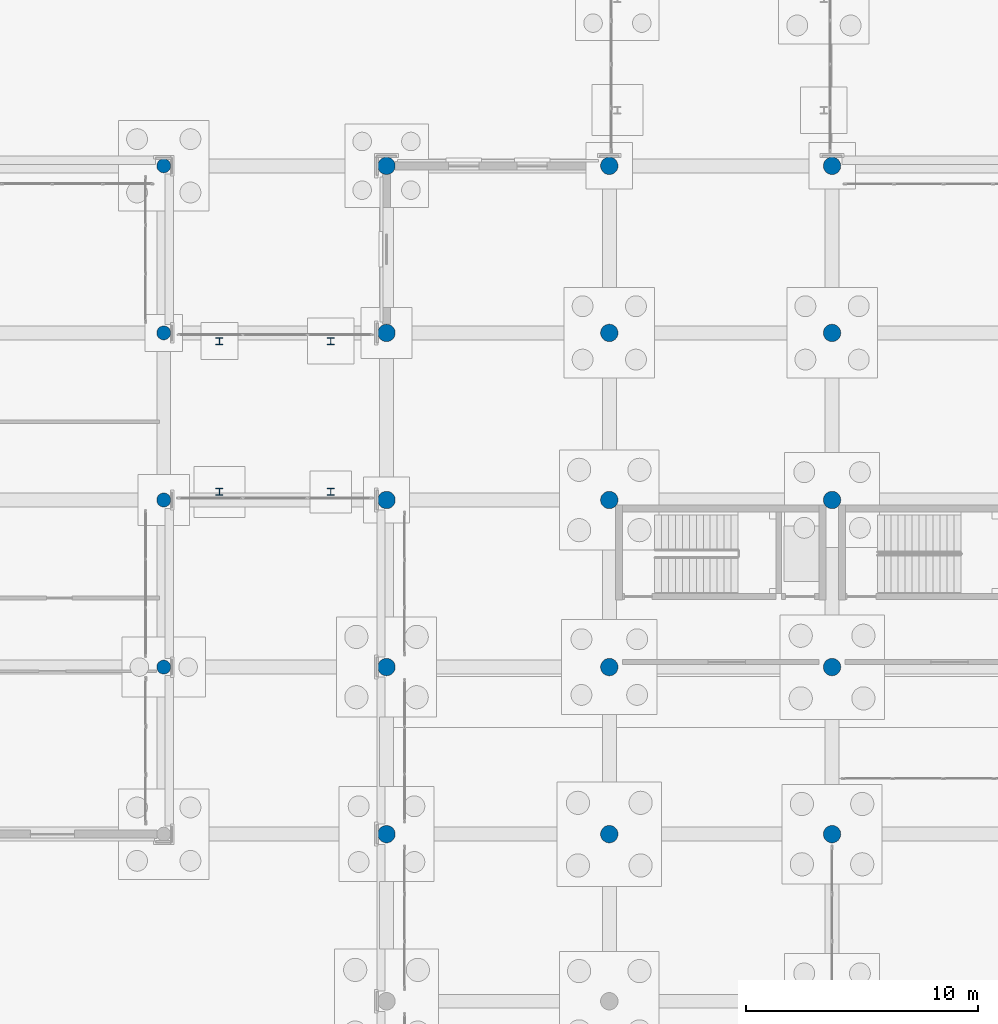
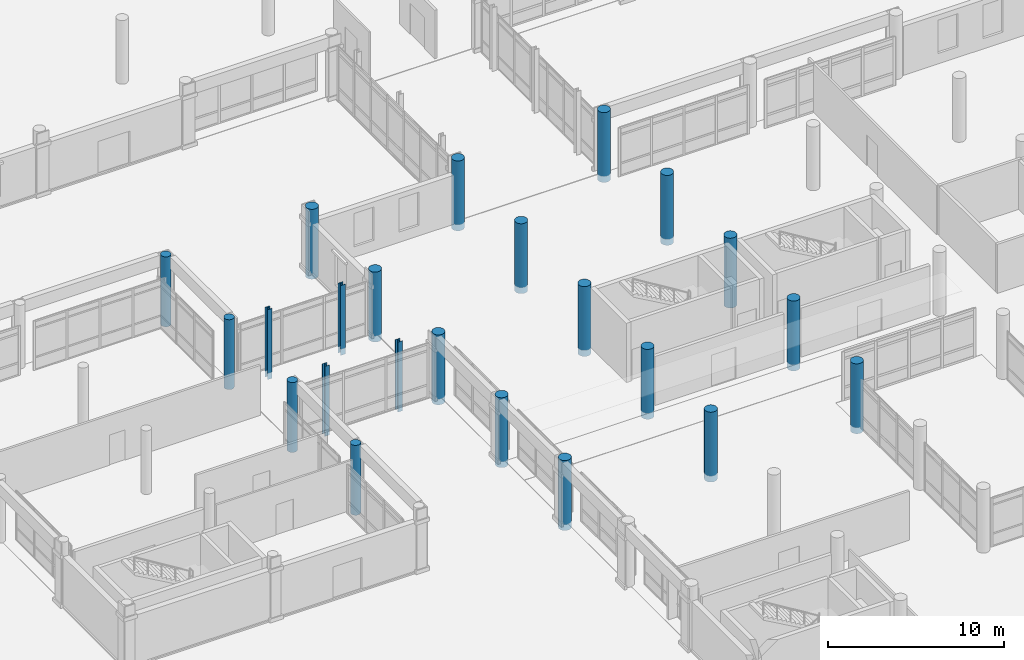
# One storey, part 15 of 196: 23 columns.
"""IFC4 building model written with IfcOpenShell, lengths in metres."""

from ifc_helpers import new_model, si_unit, direction, frame, origin, origin_2d, place, context, subcontext, project, spatial, circle, i_section, extrude, material, material_profile, profile_set, type_object, element, save


model = new_model("IFC4")

# Units and contexts
model_context = context("Model", 3, precision=1e-05, world=origin(), true_north=direction((0.0, 1.0)))
body_context = subcontext(model_context, "Body", "Model", "MODEL_VIEW")
ifc_project = project(units=[si_unit("LENGTHUNIT", "METRE"), si_unit("AREAUNIT", "SQUARE_METRE"), si_unit("VOLUMEUNIT", "CUBIC_METRE"), si_unit("PLANEANGLEUNIT", "RADIAN"), si_unit("MASSUNIT", "GRAM", prefix="KILO")], contexts=[model_context])

# Site, building, storey
site_placement = place(None, origin())
site = spatial("IfcSite", under=ifc_project, at=site_placement, CompositionType="ELEMENT")
building_placement = place(site_placement, origin())
building = spatial("IfcBuilding", under=site, at=building_placement, Name="Asteropetra Specialist Clinic", CompositionType="ELEMENT")
storey_placement = place(building_placement, origin())
storey = spatial("IfcBuildingStorey", under=building, at=storey_placement, Name="L00", CompositionType="ELEMENT", Elevation=0.0)

# Columns
ifc_material_1 = material(Name="Concrete C35/45", Category="concrete")
ifc_material_profile_1 = material_profile(ifc_material_1, circle(Radius=0.375, at=origin_2d()), Name="RCC D750")
ifc_profile_set_1 = profile_set([ifc_material_profile_1], Name="Concrete C35/45")
column_type_1 = type_object("IfcColumnType", Name="COL-DORIC750", PredefinedType="COLUMN", material=ifc_profile_set_1)
for number, where, z_axis, x_axis, name in (
    (1, (105.60009765625, 33.60009765625, -0.43994140625), (0.0, 0.0, 1.0), (1.0, 0.0, 0.0), "Column CCOL12-0659"),
    (2, (105.60009765625, 40.800048828125, -0.43994140625), (0.0, 0.0, 1.0), (1.0, 0.0, 0.0), "Column CCOL12-0664"),
    (3, (105.60009765625, 48.0, -0.43994140625), (0.0, 0.0, 1.0), (1.0, 0.0, 0.0), "Column CCOL12-0669"),
    (4, (105.60009765625, 55.199951171875, -0.43994140625), (0.0, 0.0, 1.0), (1.0, 0.0, 0.0), "Column CCOL12-0674"),
    (5, (105.60009765625, 62.39990234375, -0.43994140625), (0.0, 0.0, 1.0), (1.0, 0.0, 0.0), "Column CCOL12-0676"),
    (6, (115.199951171875, 33.60009765625, -0.43994140625), (0.0, 0.0, 1.0), (1.0, 0.0, 0.0), "Column CCOL12-0709"),
    (7, (115.199951171875, 40.800048828125, -0.43994140625), (0.0, 0.0, 1.0), (1.0, 0.0, 0.0), "Column CCOL12-0714"),
    (8, (115.199951171875, 48.0, -0.43994140625), (0.0, 0.0, 1.0), (1.0, 0.0, 0.0), "Column CCOL12-0719"),
    (9, (115.199951171875, 55.199951171875, -0.43994140625), (0.0, 0.0, 1.0), (1.0, 0.0, 0.0), "Column CCOL12-0724"),
    (10, (115.199951171875, 62.39990234375, -0.43994140625), (0.0, 0.0, 1.0), (1.0, 0.0, 0.0), "Column CCOL12-0726"),
    (11, (124.800048828125, 33.60009765625, -0.43994140625), (0.0, 0.0, 1.0), (1.0, 0.0, 0.0), "Column CCOL12-0771"),
    (12, (124.800048828125, 40.800048828125, -0.43994140625), (0.0, 0.0, 1.0), (1.0, 0.0, 0.0), "Column CCOL12-0776"),
    (13, (124.800048828125, 48.0, -0.43994140625), (0.0, 0.0, 1.0), (1.0, 0.0, 0.0), "Column CCOL12-0781"),
    (14, (124.800048828125, 55.199951171875, -0.43994140625), (0.0, 0.0, 1.0), (1.0, 0.0, 0.0), "Column CCOL12-0786"),
    (15, (124.800048828125, 62.39990234375, -0.43994140625), (0.0, 0.0, 1.0), (1.0, 0.0, 0.0), "Column CCOL12-0788"),
):
    element("IfcColumn", number, at=place(storey_placement, frame(where, z_axis=z_axis, x_axis=x_axis)), inside=storey, type_object=column_type_1, Name=name, PredefinedType="COLUMN", context=body_context, shape_type="SweptSolid", body=[
        extrude(circle(Radius=0.375, at=origin_2d()), origin(), (0.0, 0.0, 1.0), 4.85986328125),
    ])
ifc_material_2 = material(Name="Concrete C35/45", Category="concrete")
ifc_material_profile_2 = material_profile(ifc_material_2, circle(Radius=0.300048828125, at=origin_2d()), Name="RCC D600")
ifc_profile_set_2 = profile_set([ifc_material_profile_2], Name="Concrete C35/45")
column_type_2 = type_object("IfcColumnType", Name="COL-IONIC600", PredefinedType="COLUMN", material=ifc_profile_set_2)
for number, where, z_axis, x_axis, name in (
    (16, (96.0, 40.800048828125, -0.43994140625), (0.0, 0.0, 1.0), (1.0, 0.0, 0.0), "Column CCOL14-0618"),
    (17, (96.0, 48.0, -0.43994140625), (0.0, 0.0, 1.0), (1.0, 0.0, 0.0), "Column CCOL14-0619"),
    (18, (96.0, 55.199951171875, -0.43994140625), (0.0, 0.0, 1.0), (1.0, 0.0, 0.0), "Column CCOL14-0620"),
    (19, (96.0, 62.39990234375, -0.43994140625), (0.0, 0.0, 1.0), (1.0, 0.0, 0.0), "Column CCOL14-0621"),
):
    element("IfcColumn", number, at=place(storey_placement, frame(where, z_axis=z_axis, x_axis=x_axis)), inside=storey, type_object=column_type_2, Name=name, PredefinedType="COLUMN", context=body_context, shape_type="SweptSolid", body=[
        extrude(circle(Radius=0.300048828125, at=origin_2d()), origin(), (0.0, 0.0, 1.0), 4.85986328125),
    ])
ifc_material_3 = material(Name="Steel S355", Category="steel")
ifc_material_profile_3 = material_profile(ifc_material_3, i_section(OverallWidth=0.300048828125, OverallDepth=0.300048828125, WebThickness=0.010986328125, FlangeThickness=0.01904296875, FilletRadius=0.027099609375, at=origin_2d()), Name="HEB 300")
ifc_profile_set_3 = profile_set([ifc_material_profile_3], Name="Steel S355")
column_type_3 = type_object("IfcColumnType", Name="COL-STL-HEB300", PredefinedType="COLUMN", material=ifc_profile_set_3)
for number, where, z_axis, x_axis, name in (
    (20, (98.39990234375, 48.35009765625, -0.43994140625), (0.0, 0.0, 1.0), (1.0, 0.0, 0.0), "Column CCOLS1-0630"),
    (21, (98.39990234375, 54.85009765625, -0.43994140625), (0.0, 0.0, 1.0), (1.0, 0.0, 0.0), "Column CCOLS1-0631"),
    (22, (103.199951171875, 48.35009765625, -0.43994140625), (0.0, 0.0, 1.0), (1.0, 0.0, 0.0), "Column CCOLS1-0632"),
    (23, (103.199951171875, 54.85009765625, -0.43994140625), (0.0, 0.0, 1.0), (1.0, 0.0, 0.0), "Column CCOLS1-0633"),
):
    element("IfcColumn", number, at=place(storey_placement, frame(where, z_axis=z_axis, x_axis=x_axis)), inside=storey, type_object=column_type_3, Name=name, PredefinedType="COLUMN", context=body_context, shape_type="SweptSolid", body=[
        extrude(i_section(OverallWidth=0.300048828125, OverallDepth=0.300048828125, WebThickness=0.010986328125, FlangeThickness=0.01904296875, FilletRadius=0.027099609375, at=origin_2d()), origin(), (0.0, 0.0, 1.0), 4.85986328125),
    ])

save(model, "model.ifc")
